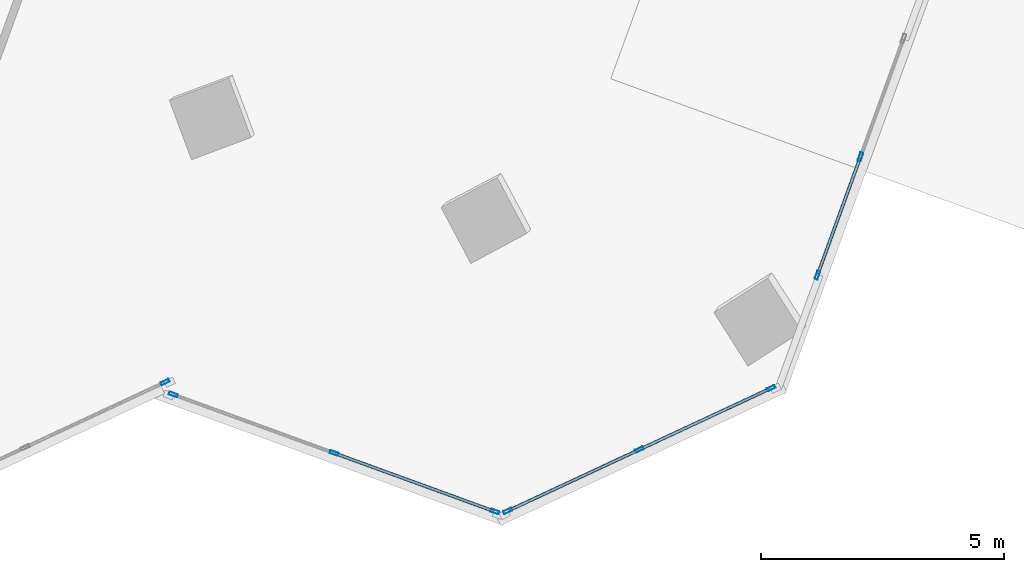
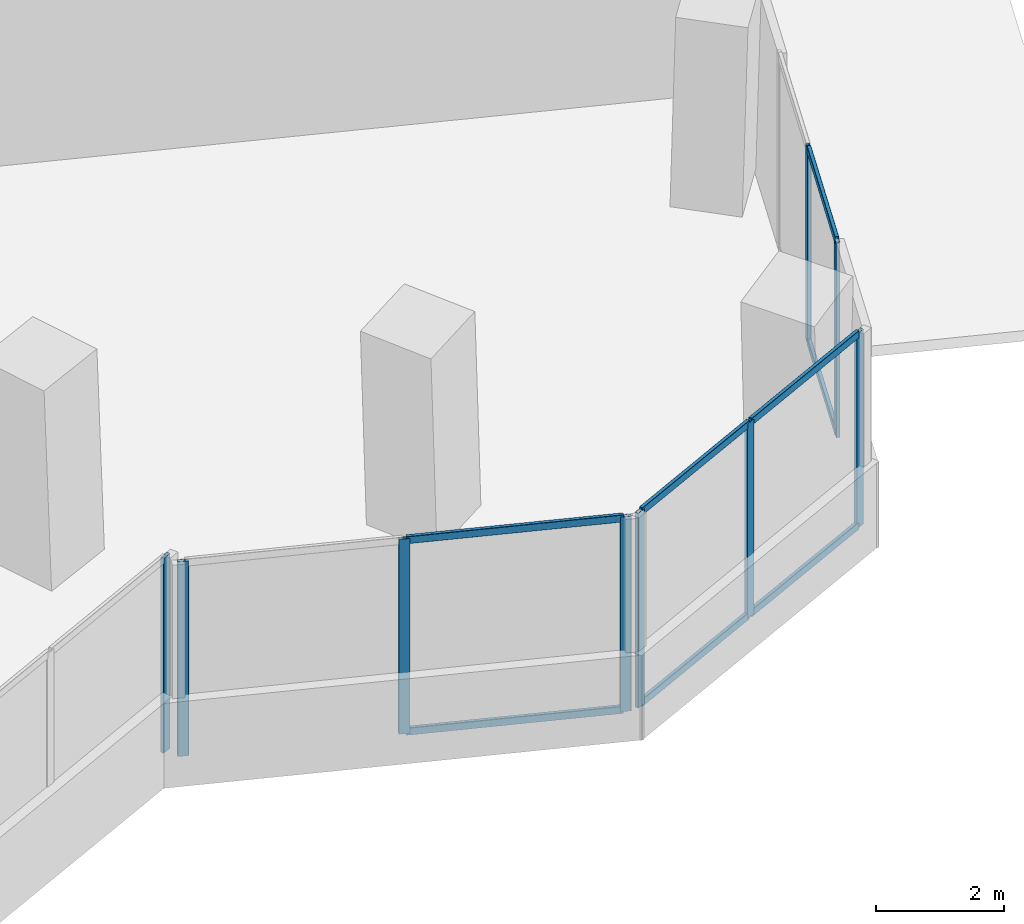
# One storey, part 8 of 21: 17 members, 4 elements without a shape of their own.
"""IFC4 building model written with IfcOpenShell, lengths in metres."""

from ifc_helpers import new_model, si_unit, direction, frame, origin, origin_2d, place, context, subcontext, project, spatial, hollow_rectangle, extrude, source, transform, mapped, material, material_profile, profile_set, type_object, element, aggregate, save


model = new_model("IFC4")

# Units and contexts
model_context = context("Model", 3, precision=1e-05, world=origin(), true_north=direction((0.0, 1.0)))
body_context = subcontext(model_context, "Body", "Model", "MODEL_VIEW")
ifc_project = project(units=[si_unit("LENGTHUNIT", "METRE"), si_unit("AREAUNIT", "SQUARE_METRE"), si_unit("VOLUMEUNIT", "CUBIC_METRE"), si_unit("PLANEANGLEUNIT", "RADIAN"), si_unit("MASSUNIT", "GRAM", prefix="KILO")], contexts=[model_context])

# Site, building, storey
site_placement = place(None, origin())
site = spatial("IfcSite", under=ifc_project, at=site_placement, CompositionType="ELEMENT")
building_placement = place(site_placement, origin())
building = spatial("IfcBuilding", under=site, at=building_placement, Name="Torre Montelarca", CompositionType="ELEMENT")
storey_placement = place(building_placement, frame((0.0, 0.0, 133.0)))
storey = spatial("IfcBuildingStorey", under=building, at=storey_placement, Name="L29", CompositionType="ELEMENT", Elevation=133.0)

# Curtain wall, members
ifc_material_1 = material(Name="Insulated low-E laminated glass", Category="glass")
curtain_wall_type = type_object("IfcCurtainWallType", Name="CW-SYS-Z2", PredefinedType="USERDEFINED", material=ifc_material_1)
curtain_wall_1_placement = place(storey_placement, origin())
curtain_wall_1 = element("IfcCurtainWall", 1, at=curtain_wall_1_placement, inside=storey, type_object=curtain_wall_type, Name="L29 Curtain Wall Run CW-T3-L29-E05-B1", ObjectType="UNITISED GLAZING", PredefinedType="USERDEFINED")
ifc_material_2 = material(Name="Anodised aluminium AA 6063-T6", Category="aluminium")
ifc_material_profile_1 = material_profile(ifc_material_2, hollow_rectangle(XDim=0.06494140625, YDim=0.139892578125, WallThickness=0.00390625, InnerFilletRadius=0.00390625, OuterFilletRadius=0.008056640625, at=origin_2d()), Name="ALU65X140X4", Category="aluminium")
ifc_profile_set_1 = profile_set([ifc_material_profile_1], Name="Anodised aluminium AA 6063-T6")
member_type_1 = type_object("IfcMemberType", Name="CWT-ALU140", PredefinedType="USERDEFINED", material=ifc_profile_set_1)
shared_shape_1 = source(origin(), body_context, "Body", "SweptSolid", [
    extrude(hollow_rectangle(XDim=0.06494140625, YDim=0.139892578125, WallThickness=0.00390625, InnerFilletRadius=0.00390625, OuterFilletRadius=0.008056640625, at=origin_2d()), origin(), (0.0, 0.0, 1.0), 2.918701171875),
])
member_1_placement = place(storey_placement, frame((38.453369140625, 11.41552734375, 0.032470703125), z_axis=(0.90632199501, 0.422587791305, 0.0), x_axis=(-0.422587791305, 0.90632199501, 0.0)))
member_1 = element("IfcMember", 2, at=member_1_placement, type_object=member_type_1, Name="CW transom 1.1", ObjectType="TRANSOM", PredefinedType="USERDEFINED", context=body_context, shape_type="MappedRepresentation", body=[
    mapped(shared_shape_1, transform((0.0, 0.0, 0.0), scale=1.0)),
])
member_2_placement = place(storey_placement, frame((38.453369140625, 11.41552734375, 3.6875), z_axis=(0.90632199501, 0.422587791305, 0.0), x_axis=(-0.422587791305, 0.90632199501, 0.0)))
member_2 = element("IfcMember", 3, at=member_2_placement, type_object=member_type_1, Name="CW transom 1.2", ObjectType="TRANSOM", PredefinedType="USERDEFINED", context=body_context, shape_type="MappedRepresentation", body=[
    mapped(shared_shape_1, transform((0.0, 0.0, 0.0), scale=1.0)),
])
member_3_placement = place(storey_placement, frame((41.157470703125, 12.67626953125, 0.032470703125), z_axis=(0.90632199501, 0.422587791305, 0.0), x_axis=(-0.422587791305, 0.90632199501, 0.0)))
member_3 = element("IfcMember", 4, at=member_3_placement, type_object=member_type_1, Name="CW transom 2.1", ObjectType="TRANSOM", PredefinedType="USERDEFINED", context=body_context, shape_type="MappedRepresentation", body=[
    mapped(shared_shape_1, transform((0.0, 0.0, 0.0), scale=1.0)),
])
member_4_placement = place(storey_placement, frame((41.157470703125, 12.67626953125, 3.6875), z_axis=(0.90632199501, 0.422587791305, 0.0), x_axis=(-0.422587791305, 0.90632199501, 0.0)))
member_4 = element("IfcMember", 5, at=member_4_placement, type_object=member_type_1, Name="CW transom 2.2", ObjectType="TRANSOM", PredefinedType="USERDEFINED", context=body_context, shape_type="MappedRepresentation", body=[
    mapped(shared_shape_1, transform((0.0, 0.0, 0.0), scale=1.0)),
])

# Curtain wall, member
curtain_wall_2_placement = place(storey_placement, origin())
curtain_wall_2 = element("IfcCurtainWall", 6, at=curtain_wall_2_placement, inside=storey, type_object=curtain_wall_type, Name="L29 Curtain Wall Run CW-T3-L29-E02-B1", ObjectType="UNITISED GLAZING", PredefinedType="USERDEFINED")
ifc_material_profile_2 = material_profile(ifc_material_2, hollow_rectangle(XDim=0.06494140625, YDim=0.179931640625, WallThickness=0.00390625, InnerFilletRadius=0.00390625, OuterFilletRadius=0.008056640625, at=origin_2d()), Name="ALU65X180X4", Category="aluminium")
ifc_profile_set_2 = profile_set([ifc_material_profile_2], Name="Anodised aluminium AA 6063-T6")
member_type_2 = type_object("IfcMemberType", Name="CWM-ALU180", PredefinedType="MULLION", material=ifc_profile_set_2)
shared_shape_2 = source(origin(), body_context, "Body", "SweptSolid", [
    extrude(hollow_rectangle(XDim=0.06494140625, YDim=0.179931640625, WallThickness=0.00390625, InnerFilletRadius=0.00390625, OuterFilletRadius=0.008056640625, at=origin_2d()), origin(), (0.0, 0.0, 1.0), 3.719970703125),
])
member_5_placement = place(storey_placement, frame((31.384033203125, 14.04833984375, 0.0), z_axis=(0.0, 0.0, 1.0), x_axis=(-0.42258947224, 0.906321211244, 0.0)))
member_5 = element("IfcMember", 7, at=member_5_placement, type_object=member_type_2, Name="CW mullion 3", PredefinedType="MULLION", context=body_context, shape_type="MappedRepresentation", body=[
    mapped(shared_shape_2, transform((0.0, 0.0, 0.0), scale=1.0)),
])
aggregate(curtain_wall_2, [member_5])

# Curtain wall, members
curtain_wall_3_placement = place(storey_placement, origin())
curtain_wall_3 = element("IfcCurtainWall", 8, at=curtain_wall_3_placement, inside=storey, type_object=curtain_wall_type, Name="L29 Curtain Wall Run CW-T3-L29-E04-B1", ObjectType="UNITISED GLAZING", PredefinedType="USERDEFINED")
member_6_placement = place(storey_placement, frame((31.553955078125, 13.79345703125, 0.0), z_axis=(0.0, 0.0, 1.0), x_axis=(0.342014760928, 0.939694579801, 0.0)))
member_6 = element("IfcMember", 9, at=member_6_placement, type_object=member_type_2, Name="CW mullion 1", PredefinedType="MULLION", context=body_context, shape_type="MappedRepresentation", body=[
    mapped(shared_shape_2, transform((0.0, 0.0, 0.0), scale=1.0)),
])
member_7_placement = place(storey_placement, frame((34.85546875, 12.591796875, 0.0), z_axis=(0.0, 0.0, 1.0), x_axis=(0.342014760928, 0.939694579801, 0.0)))
member_7 = element("IfcMember", 10, at=member_7_placement, type_object=member_type_2, Name="CW mullion 2", PredefinedType="MULLION", context=body_context, shape_type="MappedRepresentation", body=[
    mapped(shared_shape_2, transform((0.0, 0.0, 0.0), scale=1.0)),
])
member_8_placement = place(storey_placement, frame((38.1572265625, 11.39013671875, 0.0), z_axis=(0.0, 0.0, 1.0), x_axis=(0.342014760928, 0.939694579801, 0.0)))
member_8 = element("IfcMember", 11, at=member_8_placement, type_object=member_type_2, Name="CW mullion 3", PredefinedType="MULLION", context=body_context, shape_type="MappedRepresentation", body=[
    mapped(shared_shape_2, transform((0.0, 0.0, 0.0), scale=1.0)),
])

# Member
member_9_placement = place(storey_placement, frame((38.424072265625, 11.40185546875, 0.0), z_axis=(0.0, 0.0, 1.0), x_axis=(-0.422597755027, 0.906317349192, 0.0)))
member_9 = element("IfcMember", 12, at=member_9_placement, type_object=member_type_2, Name="CW mullion 1", PredefinedType="MULLION", context=body_context, shape_type="MappedRepresentation", body=[
    mapped(shared_shape_2, transform((0.0, 0.0, 0.0), scale=1.0)),
])

member_10_placement = place(storey_placement, frame((41.1279296875, 12.66259765625, 0.0), z_axis=(0.0, 0.0, 1.0), x_axis=(-0.422597755027, 0.906317349192, 0.0)))
member_10 = element("IfcMember", 13, at=member_10_placement, type_object=member_type_2, Name="CW mullion 2", PredefinedType="MULLION", context=body_context, shape_type="MappedRepresentation", body=[
    mapped(shared_shape_2, transform((0.0, 0.0, 0.0), scale=1.0)),
])

member_11_placement = place(storey_placement, frame((43.83203125, 13.923583984375, 0.0), z_axis=(0.0, 0.0, 1.0), x_axis=(-0.422597755027, 0.906317349192, 0.0)))
member_11 = element("IfcMember", 14, at=member_11_placement, type_object=member_type_2, Name="CW mullion 3", PredefinedType="MULLION", context=body_context, shape_type="MappedRepresentation", body=[
    mapped(shared_shape_2, transform((0.0, 0.0, 0.0), scale=1.0)),
])

aggregate(curtain_wall_1, [member_9, member_10, member_11, member_1, member_2, member_3, member_4])

# Curtain wall, members
curtain_wall_4_placement = place(storey_placement, origin())
curtain_wall_4 = element("IfcCurtainWall", 15, at=curtain_wall_4_placement, inside=storey, type_object=curtain_wall_type, Name="L29 Curtain Wall Run CW-T3-L29-E06-B1", ObjectType="UNITISED GLAZING", PredefinedType="USERDEFINED")
member_12_placement = place(storey_placement, frame((44.786865234375, 16.248046875, 0.0), z_axis=(0.0, 0.0, 1.0), x_axis=(-0.939688565352, 0.342031285334, 0.0)))
member_12 = element("IfcMember", 16, at=member_12_placement, type_object=member_type_2, Name="CW mullion 1", PredefinedType="MULLION", context=body_context, shape_type="MappedRepresentation", body=[
    mapped(shared_shape_2, transform((0.0, 0.0, 0.0), scale=1.0)),
])
member_13_placement = place(storey_placement, frame((45.67138671875, 18.677978515625, 0.0), z_axis=(0.0, 0.0, 1.0), x_axis=(-0.939688565352, 0.342031285334, 0.0)))
member_13 = element("IfcMember", 17, at=member_13_placement, type_object=member_type_2, Name="CW mullion 2", PredefinedType="MULLION", context=body_context, shape_type="MappedRepresentation", body=[
    mapped(shared_shape_2, transform((0.0, 0.0, 0.0), scale=1.0)),
])

# Member
shared_shape_3 = source(origin(), body_context, "Body", "SweptSolid", [
    extrude(hollow_rectangle(XDim=0.06494140625, YDim=0.139892578125, WallThickness=0.00390625, InnerFilletRadius=0.00390625, OuterFilletRadius=0.008056640625, at=origin_2d()), origin(), (0.0, 0.0, 1.0), 3.44873046875),
])
member_14_placement = place(storey_placement, frame((34.885986328125, 12.58056640625, 0.032470703125), z_axis=(0.939700376564, -0.341998833749, 0.0), x_axis=(0.341998833749, 0.939700376564, 0.0)))
member_14 = element("IfcMember", 18, at=member_14_placement, type_object=member_type_1, Name="CW transom 2.1", ObjectType="TRANSOM", PredefinedType="USERDEFINED", context=body_context, shape_type="MappedRepresentation", body=[
    mapped(shared_shape_3, transform((0.0, 0.0, 0.0), scale=1.0)),
])

member_15_placement = place(storey_placement, frame((34.885986328125, 12.58056640625, 3.6875), z_axis=(0.939700376564, -0.341998833749, 0.0), x_axis=(0.341998833749, 0.939700376564, 0.0)))
member_15 = element("IfcMember", 19, at=member_15_placement, type_object=member_type_1, Name="CW transom 2.2", ObjectType="TRANSOM", PredefinedType="USERDEFINED", context=body_context, shape_type="MappedRepresentation", body=[
    mapped(shared_shape_3, transform((0.0, 0.0, 0.0), scale=1.0)),
])

aggregate(curtain_wall_3, [member_6, member_7, member_8, member_14, member_15])

shared_shape_4 = source(origin(), body_context, "Body", "SweptSolid", [
    extrude(hollow_rectangle(XDim=0.06494140625, YDim=0.139892578125, WallThickness=0.00390625, InnerFilletRadius=0.00390625, OuterFilletRadius=0.008056640625, at=origin_2d()), origin(), (0.0, 0.0, 1.0), 2.52099609375),
])
member_16_placement = place(storey_placement, frame((44.7978515625, 16.278564453125, 0.032470703125), z_axis=(0.342054077168, 0.939680269184, 0.0), x_axis=(-0.939680269184, 0.342054077168, 0.0)))
member_16 = element("IfcMember", 20, at=member_16_placement, type_object=member_type_1, Name="CW transom 1.1", ObjectType="TRANSOM", PredefinedType="USERDEFINED", context=body_context, shape_type="MappedRepresentation", body=[
    mapped(shared_shape_4, transform((0.0, 0.0, 0.0), scale=1.0)),
])

member_17_placement = place(storey_placement, frame((44.7978515625, 16.278564453125, 3.6875), z_axis=(0.342054077168, 0.939680269184, 0.0), x_axis=(-0.939680269184, 0.342054077168, 0.0)))
member_17 = element("IfcMember", 21, at=member_17_placement, type_object=member_type_1, Name="CW transom 1.2", ObjectType="TRANSOM", PredefinedType="USERDEFINED", context=body_context, shape_type="MappedRepresentation", body=[
    mapped(shared_shape_4, transform((0.0, 0.0, 0.0), scale=1.0)),
])

aggregate(curtain_wall_4, [member_12, member_13, member_16, member_17])

save(model, "model.ifc")
